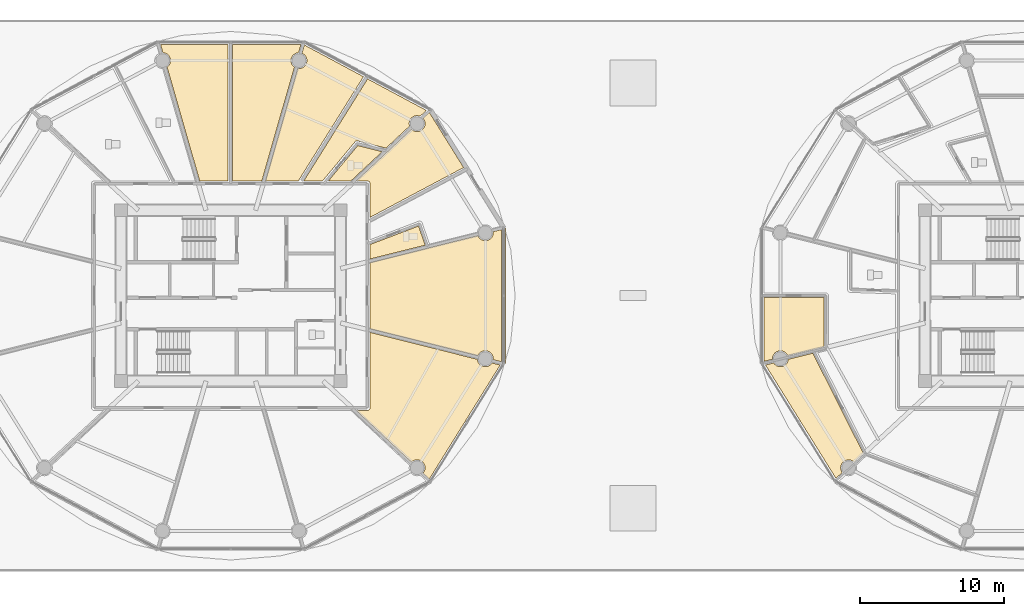
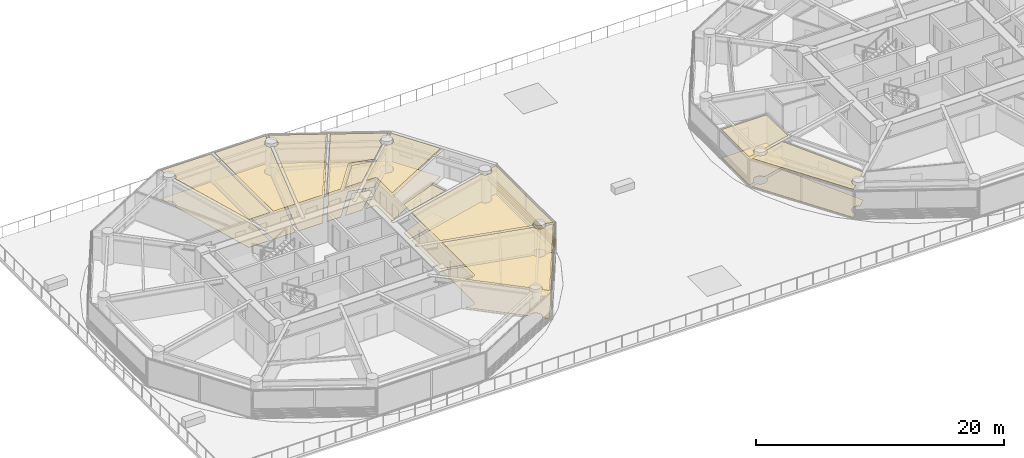
# One storey, part 24 of 32: 22 coverings, 1 shading device.
"""IFC4 building model written with IfcOpenShell, lengths in metres."""

from ifc_helpers import new_model, si_unit, direction, frame, origin, origin_2d, place, context, subcontext, project, spatial, polyline, rectangle, outline, extrude, source, transform, mapped, material, layer, layer_set, type_object, type_shapes, element, save


model = new_model("IFC4")

# Units and contexts
model_context = context("Model", 3, precision=1e-05, world=origin(), true_north=direction((0.0, 1.0)))
body_context = subcontext(model_context, "Body", "Model", "MODEL_VIEW")
ifc_project = project(units=[si_unit("LENGTHUNIT", "METRE"), si_unit("AREAUNIT", "SQUARE_METRE"), si_unit("VOLUMEUNIT", "CUBIC_METRE"), si_unit("PLANEANGLEUNIT", "RADIAN"), si_unit("MASSUNIT", "GRAM", prefix="KILO")], contexts=[model_context])

# Site, building, storey
site_placement = place(None, origin())
site = spatial("IfcSite", under=ifc_project, at=site_placement, CompositionType="ELEMENT")
building_placement = place(site_placement, origin())
building = spatial("IfcBuilding", under=site, at=building_placement, Name="Norrkilde Senior Care Towers", CompositionType="ELEMENT")
storey_placement = place(building_placement, frame((0.0, 0.0, 21.60009765625)))
storey = spatial("IfcBuildingStorey", under=building, at=storey_placement, Name="L05", CompositionType="ELEMENT", Elevation=21.60009765625)

# Coverings
ifc_material_1 = material(Name="Nordic Ash Timber", Category="wood")
ifc_layer_1 = layer(ifc_material_1, 0.044921875)
ifc_layer_set_1 = layer_set([ifc_layer_1], Name="Nordic Ash Timber")
covering_type_1 = type_object("IfcCoveringType", Name="Acoustic Ash Timber Slatted Ceiling 45", PredefinedType="CEILING", material=ifc_layer_set_1)
covering_1_placement = place(storey_placement, frame((0.0, 0.0, 2.744873046875)))
element("IfcCovering", 1, at=covering_1_placement, inside=storey, type_object=covering_type_1, Name="L05 Suspended Ceiling 0122", PredefinedType="CEILING", context=body_context, shape_type="SweptSolid", body=[
    extrude(outline(polyline([(-19.15771484375, 10.780517578125), (-19.164794921875, 10.781982421875), (-19.1767578125, 10.78369140625), (-19.18408203125, 10.784423828125), (-19.1962890625, 10.784912109375), (-19.203369140625, 10.784912109375), (-19.2158203125, 10.7841796875), (-19.222900390625, 10.783447265625), (-19.235107421875, 10.781494140625), (-19.241943359375, 10.780029296875), (-19.25390625, 10.77685546875), (-19.2607421875, 10.774658203125), (-19.272216796875, 10.770263671875), (-19.27880859375, 10.767333984375), (-19.289794921875, 10.76171875), (-19.296142578125, 10.75830078125), (-19.306396484375, 10.75146484375), (-19.312255859375, 10.747314453125), (-19.32177734375, 10.73974609375), (-19.3271484375, 10.73486328125), (-19.3359375, 10.726318359375), (-19.3408203125, 10.720947265625), (-19.344970703125, 10.716552734375), (-21.600341796875, 8.00146484375), (-21.60107421875, 8.000244140625), (-22.912109375, 8.0), (-18.47412109375, 15.10009765625), (-14.37890625, 12.904296875), (-14.816650390625, 12.494873046875), (-14.880859375, 12.521484375), (-15.024658203125, 12.54052734375), (-15.168212890625, 12.521484375), (-15.302001953125, 12.466064453125), (-15.4169921875, 12.3779296875), (-15.505126953125, 12.262939453125), (-15.560791015625, 12.129150390625), (-15.57958984375, 11.9853515625), (-15.560791015625, 11.841796875), (-15.5478515625, 11.810791015625), (-17.188232421875, 10.276611328125), (-19.151611328125, 10.779052734375), (-19.15771484375, 10.780517578125)])), origin(), (0.0, 0.0, 1.0), 0.044921875),
])
covering_2_placement = place(storey_placement, frame((0.0, 0.0, 2.744873046875)))
element("IfcCovering", 2, at=covering_2_placement, inside=storey, type_object=covering_type_1, Name="L05 Suspended Ceiling 0124", PredefinedType="CEILING", context=body_context, shape_type="SweptSolid", body=[
    extrude(outline(polyline([(-23.213134765625, 8.12255859375), (-23.288818359375, 8.0), (-25.583251953125, 8.0), (-23.34033203125, 15.829345703125), (-23.250732421875, 15.8173828125), (-23.10693359375, 15.83642578125), (-22.97314453125, 15.891845703125), (-22.858154296875, 15.97998046875), (-22.77001953125, 16.094970703125), (-22.714599609375, 16.228759765625), (-22.695556640625, 16.37255859375), (-22.714599609375, 16.51611328125), (-22.77001953125, 16.64990234375), (-22.858154296875, 16.764892578125), (-22.97314453125, 16.85302734375), (-23.039306640625, 16.88037109375), (-22.87353515625, 17.458984375), (-18.7568359375, 15.251708984375), (-23.212646484375, 8.123291015625), (-23.212646484375, 8.123046875), (-23.212890625, 8.12255859375), (-23.213134765625, 8.12255859375)])), origin(), (0.0, 0.0, 1.0), 0.044921875),
])
covering_3_placement = place(storey_placement, frame((0.0, 0.0, 2.744873046875)))
element("IfcCovering", 3, at=covering_3_placement, inside=storey, type_object=covering_type_1, Name="L05 Suspended Ceiling 0135", PredefinedType="CEILING", context=body_context, shape_type="SweptSolid", body=[
    extrude(outline(polyline([(-18.447509765625, -7.992919921875), (-18.436279296875, -7.989501953125), (-18.428955078125, -7.98681640625), (-18.41796875, -7.982421875), (-18.410888671875, -7.97900390625), (-18.400634765625, -7.973388671875), (-18.393798828125, -7.969482421875), (-18.384033203125, -7.962890625), (-18.377685546875, -7.958251953125), (-18.36865234375, -7.95068359375), (-18.36279296875, -7.945556640625), (-18.3544921875, -7.937255859375), (-18.34912109375, -7.931396484375), (-18.341796875, -7.92236328125), (-18.337158203125, -7.916015625), (-18.33056640625, -7.90625), (-18.326416015625, -7.8994140625), (-18.321044921875, -7.888916015625), (-18.317626953125, -7.8818359375), (-18.31298828125, -7.87109375), (-18.310546875, -7.86376953125), (-18.30712890625, -7.852294921875), (-18.30517578125, -7.8447265625), (-18.302734375, -7.833251953125), (-18.3017578125, -7.825439453125), (-18.300537109375, -7.813720703125), (-18.300048828125, -7.805908203125), (-18.300048828125, -7.800048828125), (-18.300048828125, -2.5546875), (-10.824951171875, -4.427978515625), (-10.811279296875, -4.530517578125), (-10.755859375, -4.66455078125), (-10.667724609375, -4.779541015625), (-10.552734375, -4.86767578125), (-10.4189453125, -4.923095703125), (-10.275146484375, -4.94189453125), (-10.131591796875, -4.923095703125), (-9.997802734375, -4.86767578125), (-9.8828125, -4.779541015625), (-9.80859375, -4.6826171875), (-9.236083984375, -4.826171875), (-14.173095703125, -12.76806640625), (-14.61474609375, -12.35498046875), (-14.5439453125, -12.262939453125), (-14.488525390625, -12.129150390625), (-14.469482421875, -11.9853515625), (-14.488525390625, -11.841796875), (-14.5439453125, -11.7080078125), (-14.632080078125, -11.593017578125), (-14.7470703125, -11.5048828125), (-14.880859375, -11.449462890625), (-15.024658203125, -11.430419921875), (-15.168212890625, -11.449462890625), (-15.302001953125, -11.5048828125), (-15.4169921875, -11.593017578125), (-15.422119140625, -11.599853515625), (-19.27099609375, -8.0), (-18.5, -8.0), (-18.494140625, -7.999755859375), (-18.486328125, -7.99951171875), (-18.474609375, -7.998291015625), (-18.466796875, -7.9970703125), (-18.455322265625, -7.994873046875), (-18.447509765625, -7.992919921875)])), origin(), (0.0, 0.0, 1.0), 0.044921875),
])
covering_4_placement = place(storey_placement, frame((0.0, 0.0, 2.744873046875)))
element("IfcCovering", 4, at=covering_4_placement, inside=storey, type_object=covering_type_1, Name="L05 Suspended Ceiling 0136", PredefinedType="CEILING", context=body_context, shape_type="SweptSolid", body=[
    extrude(outline(polyline([(-10.755859375, 4.109375), (-10.667724609375, 3.99462890625), (-10.552734375, 3.90625), (-10.4189453125, 3.850830078125), (-10.275146484375, 3.83203125), (-10.131591796875, 3.850830078125), (-9.997802734375, 3.90625), (-9.8828125, 3.99462890625), (-9.794677734375, 4.109375), (-9.7392578125, 4.243408203125), (-9.72021484375, 4.386962890625), (-9.729248046875, 4.455322265625), (-9.149169921875, 4.6005859375), (-9.149169921875, -4.6005859375), (-9.729248046875, -4.455322265625), (-9.72021484375, -4.386962890625), (-9.7392578125, -4.243408203125), (-9.794677734375, -4.109375), (-9.8828125, -3.99462890625), (-9.997802734375, -3.90625), (-10.131591796875, -3.850830078125), (-10.275146484375, -3.83203125), (-10.4189453125, -3.850830078125), (-10.552734375, -3.90625), (-10.667724609375, -3.99462890625), (-10.755859375, -4.109375), (-10.7890625, -4.189697265625), (-18.300048828125, -2.30712890625), (-18.300048828125, 2.30712890625), (-10.7890625, 4.189697265625), (-10.755859375, 4.109375)])), origin(), (0.0, 0.0, 1.0), 0.044921875),
])
covering_5_placement = place(storey_placement, frame((0.0, 0.0, 2.744873046875)))
element("IfcCovering", 5, at=covering_5_placement, inside=storey, type_object=covering_type_1, Name="L05 Suspended Ceiling 0139", PredefinedType="CEILING", context=body_context, shape_type="SweptSolid", body=[
    extrude(outline(polyline([(-18.30517578125, 7.8447265625), (-18.30712890625, 7.852294921875), (-18.310546875, 7.86376953125), (-18.31298828125, 7.87109375), (-18.317626953125, 7.8818359375), (-18.321044921875, 7.888916015625), (-18.326416015625, 7.8994140625), (-18.33056640625, 7.90625), (-18.337158203125, 7.916015625), (-18.341796875, 7.92236328125), (-18.34912109375, 7.931396484375), (-18.3544921875, 7.937255859375), (-18.36279296875, 7.945556640625), (-18.36865234375, 7.95068359375), (-18.377685546875, 7.958251953125), (-18.384033203125, 7.962890625), (-18.393798828125, 7.969482421875), (-18.400634765625, 7.973388671875), (-18.410888671875, 7.97900390625), (-18.41796875, 7.982421875), (-18.428955078125, 7.98681640625), (-18.436279296875, 7.989501953125), (-18.447509765625, 7.992919921875), (-18.455322265625, 7.994873046875), (-18.466796875, 7.9970703125), (-18.474609375, 7.998291015625), (-18.486328125, 7.99951171875), (-18.494140625, 7.999755859375), (-18.5, 8.0), (-19.27099609375, 8.0), (-15.422119140625, 11.599853515625), (-15.4169921875, 11.593017578125), (-15.302001953125, 11.5048828125), (-15.168212890625, 11.449462890625), (-15.024658203125, 11.430419921875), (-14.880859375, 11.449462890625), (-14.7470703125, 11.5048828125), (-14.632080078125, 11.593017578125), (-14.5439453125, 11.7080078125), (-14.488525390625, 11.841796875), (-14.469482421875, 11.9853515625), (-14.488525390625, 12.129150390625), (-14.5439453125, 12.262939453125), (-14.61474609375, 12.35498046875), (-14.173095703125, 12.76806640625), (-11.783935546875, 8.924560546875), (-18.300048828125, 5.4560546875), (-18.300048828125, 7.800048828125), (-18.300048828125, 7.805908203125), (-18.300537109375, 7.813720703125), (-18.3017578125, 7.825439453125), (-18.302734375, 7.833251953125), (-18.30517578125, 7.8447265625)])), origin(), (0.0, 0.0, 1.0), 0.044921875),
])
covering_6_placement = place(storey_placement, frame((0.0, 0.0, 2.744873046875)))
element("IfcCovering", 6, at=covering_6_placement, inside=storey, type_object=covering_type_1, Name="L05 Suspended Ceiling 0150", PredefinedType="CEILING", context=body_context, shape_type="SweptSolid", body=[
    extrude(outline(polyline([(13.320068359375, -0.1201171875), (13.326416015625, -3.547119140625), (10.781005859375, -4.169921875), (10.755859375, -4.109375), (10.667724609375, -3.99462890625), (10.552734375, -3.90625), (10.4189453125, -3.850830078125), (10.275146484375, -3.83203125), (10.131591796875, -3.850830078125), (9.997802734375, -3.90625), (9.8828125, -3.99462890625), (9.794677734375, -4.109375), (9.7392578125, -4.243408203125), (9.72021484375, -4.386962890625), (9.7255859375, -4.42822265625), (9.149169921875, -4.5693359375), (9.149169921875, -0.1201171875), (13.320068359375, -0.1201171875)])), origin(), (0.0, 0.0, 1.0), 0.044921875),
])
covering_7_placement = place(storey_placement, frame((0.0, 0.0, 2.744873046875)))
element("IfcCovering", 7, at=covering_7_placement, inside=storey, type_object=covering_type_1, Name="L05 Suspended Ceiling 0151", PredefinedType="CEILING", context=body_context, shape_type="SweptSolid", body=[
    extrude(outline(polyline([(9.8828125, -4.779541015625), (9.997802734375, -4.86767578125), (10.131591796875, -4.923095703125), (10.275146484375, -4.94189453125), (10.4189453125, -4.923095703125), (10.552734375, -4.86767578125), (10.667724609375, -4.779541015625), (10.755859375, -4.66455078125), (10.811279296875, -4.530517578125), (10.824951171875, -4.427978515625), (12.534912109375, -3.99951171875), (16.056640625, -10.986083984375), (15.399169921875, -11.579345703125), (15.302001953125, -11.5048828125), (15.168212890625, -11.449462890625), (15.024658203125, -11.430419921875), (14.880859375, -11.449462890625), (14.7470703125, -11.5048828125), (14.632080078125, -11.593017578125), (14.5439453125, -11.7080078125), (14.488525390625, -11.841796875), (14.469482421875, -11.9853515625), (14.488525390625, -12.129150390625), (14.5439453125, -12.262939453125), (14.583740234375, -12.31494140625), (14.14013671875, -12.715087890625), (9.236083984375, -4.826171875), (9.80859375, -4.6826171875), (9.8828125, -4.779541015625)])), origin(), (0.0, 0.0, 1.0), 0.044921875),
])
ifc_material_2 = material(Name="Gypsum Acoustic Board")
ifc_layer_2 = layer(ifc_material_2, 0.030029296875)
ifc_layer_set_2 = layer_set([ifc_layer_2], Name="Gypsum Acoustic Board")
covering_type_2 = type_object("IfcCoveringType", Name="Medical Cleanable Gypsum Ceiling 30", PredefinedType="CEILING", material=ifc_layer_set_2)
covering_8_placement = place(storey_placement, frame((0.0, 0.0, 2.760009765625)))
element("IfcCovering", 8, at=covering_8_placement, inside=storey, type_object=covering_type_2, Name="L05 Suspended Ceiling 0123", PredefinedType="CEILING", context=body_context, shape_type="SweptSolid", body=[
    extrude(outline(polyline([(-17.456787109375, 10.025390625), (-19.622314453125, 8.0), (-21.198486328125, 8.0), (-19.155029296875, 10.4599609375), (-17.456787109375, 10.025390625)])), origin(), (0.0, 0.0, 1.0), 0.02978515625),
])
covering_9_placement = place(storey_placement, frame((0.0, 0.0, 2.760009765625)))
element("IfcCovering", 9, at=covering_9_placement, inside=storey, type_object=covering_type_2, Name="L05 Suspended Ceiling 0125", PredefinedType="CEILING", context=body_context, shape_type="SweptSolid", body=[
    extrude(outline(polyline([(-23.2763671875, 16.924072265625), (-23.394287109375, 16.908447265625), (-23.528076171875, 16.85302734375), (-23.64306640625, 16.764892578125), (-23.731201171875, 16.64990234375), (-23.786865234375, 16.51611328125), (-23.8056640625, 16.37255859375), (-23.786865234375, 16.228759765625), (-23.731201171875, 16.094970703125), (-23.64306640625, 15.97998046875), (-23.564208984375, 15.91943359375), (-25.8330078125, 8.0), (-27.8798828125, 8.0), (-27.8798828125, 17.49853515625), (-23.11181640625, 17.49853515625), (-23.2763671875, 16.924072265625)])), origin(), (0.0, 0.0, 1.0), 0.02978515625),
])
covering_10_placement = place(storey_placement, frame((0.0, 0.0, 2.760009765625)))
element("IfcCovering", 10, at=covering_10_placement, inside=storey, type_object=covering_type_2, Name="L05 Suspended Ceiling 0126", PredefinedType="CEILING", context=body_context, shape_type="SweptSolid", body=[
    extrude(outline(polyline([(-28.199951171875, 17.49853515625), (-28.199951171875, 8.0), (-30.1669921875, 8.0), (-32.435791015625, 15.91943359375), (-32.35693359375, 15.97998046875), (-32.268798828125, 16.094970703125), (-32.213134765625, 16.228759765625), (-32.1943359375, 16.37255859375), (-32.213134765625, 16.51611328125), (-32.268798828125, 16.64990234375), (-32.35693359375, 16.764892578125), (-32.471923828125, 16.85302734375), (-32.605712890625, 16.908447265625), (-32.7236328125, 16.924072265625), (-32.88818359375, 17.49853515625), (-28.199951171875, 17.49853515625)])), origin(), (0.0, 0.0, 1.0), 0.02978515625),
])
covering_11_placement = place(storey_placement, frame((0.0, 0.0, 2.760009765625)))
element("IfcCovering", 11, at=covering_11_placement, inside=storey, type_object=covering_type_2, Name="L05 Suspended Ceiling 0138", PredefinedType="CEILING", context=body_context, shape_type="SweptSolid", body=[
    extrude(outline(polyline([(-14.458740234375, 3.517333984375), (-18.300048828125, 2.5546875), (-18.300048828125, 3.56787109375), (-14.922607421875, 4.85498046875), (-14.458740234375, 3.517333984375)])), origin(), (0.0, 0.0, 1.0), 0.02978515625),
])
ifc_material_3 = material(Name="Slip-Resistant Porcelain Stone", Category="masonry")
ifc_layer_3 = layer(ifc_material_3, 0.02490234375)
ifc_layer_set_3 = layer_set([ifc_layer_3], Name="Slip-Resistant Porcelain Stone")
covering_type_3 = type_object("IfcCoveringType", Name="Slip-Resistant Porcelain Flooring 25", PredefinedType="FLOORING", material=ifc_layer_set_3)
covering_12_placement = place(storey_placement, origin())
element("IfcCovering", 12, at=covering_12_placement, inside=storey, type_object=covering_type_3, Name="L05 Floor Finish 0122", PredefinedType="FLOORING", context=body_context, shape_type="SweptSolid", body=[
    extrude(outline(polyline([(-19.15771484375, 10.780517578125), (-19.164794921875, 10.781982421875), (-19.1767578125, 10.78369140625), (-19.18408203125, 10.784423828125), (-19.1962890625, 10.784912109375), (-19.203369140625, 10.784912109375), (-19.2158203125, 10.7841796875), (-19.222900390625, 10.783447265625), (-19.235107421875, 10.781494140625), (-19.241943359375, 10.780029296875), (-19.25390625, 10.77685546875), (-19.2607421875, 10.774658203125), (-19.272216796875, 10.770263671875), (-19.27880859375, 10.767333984375), (-19.289794921875, 10.76171875), (-19.296142578125, 10.75830078125), (-19.306396484375, 10.75146484375), (-19.312255859375, 10.747314453125), (-19.32177734375, 10.73974609375), (-19.3271484375, 10.73486328125), (-19.3359375, 10.726318359375), (-19.3408203125, 10.720947265625), (-19.344970703125, 10.716552734375), (-21.600341796875, 8.00146484375), (-21.60107421875, 8.000244140625), (-22.912109375, 8.0), (-18.47412109375, 15.10009765625), (-14.37890625, 12.904296875), (-14.816650390625, 12.494873046875), (-14.880859375, 12.521484375), (-15.024658203125, 12.54052734375), (-15.168212890625, 12.521484375), (-15.302001953125, 12.466064453125), (-15.4169921875, 12.3779296875), (-15.505126953125, 12.262939453125), (-15.560791015625, 12.129150390625), (-15.57958984375, 11.9853515625), (-15.560791015625, 11.841796875), (-15.5478515625, 11.810791015625), (-17.188232421875, 10.276611328125), (-19.151611328125, 10.779052734375), (-19.15771484375, 10.780517578125)])), origin(), (0.0, 0.0, 1.0), 0.02490234375),
])
covering_13_placement = place(storey_placement, origin())
element("IfcCovering", 13, at=covering_13_placement, inside=storey, type_object=covering_type_3, Name="L05 Floor Finish 0123", PredefinedType="FLOORING", context=body_context, shape_type="SweptSolid", body=[
    extrude(outline(polyline([(-17.456787109375, 10.025390625), (-19.622314453125, 8.0), (-21.198486328125, 8.0), (-19.155029296875, 10.4599609375), (-17.456787109375, 10.025390625)])), origin(), (0.0, 0.0, 1.0), 0.02490234375),
])
covering_14_placement = place(storey_placement, origin())
element("IfcCovering", 14, at=covering_14_placement, inside=storey, type_object=covering_type_3, Name="L05 Floor Finish 0124", PredefinedType="FLOORING", context=body_context, shape_type="SweptSolid", body=[
    extrude(outline(polyline([(-23.213134765625, 8.12255859375), (-23.288818359375, 8.0), (-25.583251953125, 8.0), (-23.34033203125, 15.829345703125), (-23.250732421875, 15.8173828125), (-23.10693359375, 15.83642578125), (-22.97314453125, 15.891845703125), (-22.858154296875, 15.97998046875), (-22.77001953125, 16.094970703125), (-22.714599609375, 16.228759765625), (-22.695556640625, 16.37255859375), (-22.714599609375, 16.51611328125), (-22.77001953125, 16.64990234375), (-22.858154296875, 16.764892578125), (-22.97314453125, 16.85302734375), (-23.039306640625, 16.88037109375), (-22.87353515625, 17.458984375), (-18.7568359375, 15.251708984375), (-23.212646484375, 8.123291015625), (-23.212646484375, 8.123046875), (-23.212890625, 8.12255859375), (-23.213134765625, 8.12255859375)])), origin(), (0.0, 0.0, 1.0), 0.02490234375),
])
covering_15_placement = place(storey_placement, origin())
element("IfcCovering", 15, at=covering_15_placement, inside=storey, type_object=covering_type_3, Name="L05 Floor Finish 0125", PredefinedType="FLOORING", context=body_context, shape_type="SweptSolid", body=[
    extrude(outline(polyline([(-23.2763671875, 16.924072265625), (-23.394287109375, 16.908447265625), (-23.528076171875, 16.85302734375), (-23.64306640625, 16.764892578125), (-23.731201171875, 16.64990234375), (-23.786865234375, 16.51611328125), (-23.8056640625, 16.37255859375), (-23.786865234375, 16.228759765625), (-23.731201171875, 16.094970703125), (-23.64306640625, 15.97998046875), (-23.564208984375, 15.91943359375), (-25.8330078125, 8.0), (-27.8798828125, 8.0), (-27.8798828125, 17.49853515625), (-23.11181640625, 17.49853515625), (-23.2763671875, 16.924072265625)])), origin(), (0.0, 0.0, 1.0), 0.02490234375),
])
covering_16_placement = place(storey_placement, origin())
element("IfcCovering", 16, at=covering_16_placement, inside=storey, type_object=covering_type_3, Name="L05 Floor Finish 0126", PredefinedType="FLOORING", context=body_context, shape_type="SweptSolid", body=[
    extrude(outline(polyline([(-28.199951171875, 17.49853515625), (-28.199951171875, 8.0), (-30.1669921875, 8.0), (-32.435791015625, 15.91943359375), (-32.35693359375, 15.97998046875), (-32.268798828125, 16.094970703125), (-32.213134765625, 16.228759765625), (-32.1943359375, 16.37255859375), (-32.213134765625, 16.51611328125), (-32.268798828125, 16.64990234375), (-32.35693359375, 16.764892578125), (-32.471923828125, 16.85302734375), (-32.605712890625, 16.908447265625), (-32.7236328125, 16.924072265625), (-32.88818359375, 17.49853515625), (-28.199951171875, 17.49853515625)])), origin(), (0.0, 0.0, 1.0), 0.02490234375),
])
covering_17_placement = place(storey_placement, origin())
element("IfcCovering", 17, at=covering_17_placement, inside=storey, type_object=covering_type_3, Name="L05 Floor Finish 0135", PredefinedType="FLOORING", context=body_context, shape_type="SweptSolid", body=[
    extrude(outline(polyline([(-18.447509765625, -7.992919921875), (-18.436279296875, -7.989501953125), (-18.428955078125, -7.98681640625), (-18.41796875, -7.982421875), (-18.410888671875, -7.97900390625), (-18.400634765625, -7.973388671875), (-18.393798828125, -7.969482421875), (-18.384033203125, -7.962890625), (-18.377685546875, -7.958251953125), (-18.36865234375, -7.95068359375), (-18.36279296875, -7.945556640625), (-18.3544921875, -7.937255859375), (-18.34912109375, -7.931396484375), (-18.341796875, -7.92236328125), (-18.337158203125, -7.916015625), (-18.33056640625, -7.90625), (-18.326416015625, -7.8994140625), (-18.321044921875, -7.888916015625), (-18.317626953125, -7.8818359375), (-18.31298828125, -7.87109375), (-18.310546875, -7.86376953125), (-18.30712890625, -7.852294921875), (-18.30517578125, -7.8447265625), (-18.302734375, -7.833251953125), (-18.3017578125, -7.825439453125), (-18.300537109375, -7.813720703125), (-18.300048828125, -7.805908203125), (-18.300048828125, -7.800048828125), (-18.300048828125, -2.5546875), (-10.824951171875, -4.427978515625), (-10.811279296875, -4.530517578125), (-10.755859375, -4.66455078125), (-10.667724609375, -4.779541015625), (-10.552734375, -4.86767578125), (-10.4189453125, -4.923095703125), (-10.275146484375, -4.94189453125), (-10.131591796875, -4.923095703125), (-9.997802734375, -4.86767578125), (-9.8828125, -4.779541015625), (-9.80859375, -4.6826171875), (-9.236083984375, -4.826171875), (-14.173095703125, -12.76806640625), (-14.61474609375, -12.35498046875), (-14.5439453125, -12.262939453125), (-14.488525390625, -12.129150390625), (-14.469482421875, -11.9853515625), (-14.488525390625, -11.841796875), (-14.5439453125, -11.7080078125), (-14.632080078125, -11.593017578125), (-14.7470703125, -11.5048828125), (-14.880859375, -11.449462890625), (-15.024658203125, -11.430419921875), (-15.168212890625, -11.449462890625), (-15.302001953125, -11.5048828125), (-15.4169921875, -11.593017578125), (-15.422119140625, -11.599853515625), (-19.27099609375, -8.0), (-18.5, -8.0), (-18.494140625, -7.999755859375), (-18.486328125, -7.99951171875), (-18.474609375, -7.998291015625), (-18.466796875, -7.9970703125), (-18.455322265625, -7.994873046875), (-18.447509765625, -7.992919921875)])), origin(), (0.0, 0.0, 1.0), 0.02490234375),
])
covering_18_placement = place(storey_placement, origin())
element("IfcCovering", 18, at=covering_18_placement, inside=storey, type_object=covering_type_3, Name="L05 Floor Finish 0136", PredefinedType="FLOORING", context=body_context, shape_type="SweptSolid", body=[
    extrude(outline(polyline([(-10.755859375, 4.109375), (-10.667724609375, 3.99462890625), (-10.552734375, 3.90625), (-10.4189453125, 3.850830078125), (-10.275146484375, 3.83203125), (-10.131591796875, 3.850830078125), (-9.997802734375, 3.90625), (-9.8828125, 3.99462890625), (-9.794677734375, 4.109375), (-9.7392578125, 4.243408203125), (-9.72021484375, 4.386962890625), (-9.729248046875, 4.455322265625), (-9.149169921875, 4.6005859375), (-9.149169921875, -4.6005859375), (-9.729248046875, -4.455322265625), (-9.72021484375, -4.386962890625), (-9.7392578125, -4.243408203125), (-9.794677734375, -4.109375), (-9.8828125, -3.99462890625), (-9.997802734375, -3.90625), (-10.131591796875, -3.850830078125), (-10.275146484375, -3.83203125), (-10.4189453125, -3.850830078125), (-10.552734375, -3.90625), (-10.667724609375, -3.99462890625), (-10.755859375, -4.109375), (-10.7890625, -4.189697265625), (-18.300048828125, -2.30712890625), (-18.300048828125, 2.30712890625), (-10.7890625, 4.189697265625), (-10.755859375, 4.109375)])), origin(), (0.0, 0.0, 1.0), 0.02490234375),
])
covering_19_placement = place(storey_placement, origin())
element("IfcCovering", 19, at=covering_19_placement, inside=storey, type_object=covering_type_3, Name="L05 Floor Finish 0138", PredefinedType="FLOORING", context=body_context, shape_type="SweptSolid", body=[
    extrude(outline(polyline([(-14.458740234375, 3.517333984375), (-18.300048828125, 2.5546875), (-18.300048828125, 3.56787109375), (-14.922607421875, 4.85498046875), (-14.458740234375, 3.517333984375)])), origin(), (0.0, 0.0, 1.0), 0.02490234375),
])
covering_20_placement = place(storey_placement, origin())
element("IfcCovering", 20, at=covering_20_placement, inside=storey, type_object=covering_type_3, Name="L05 Floor Finish 0139", PredefinedType="FLOORING", context=body_context, shape_type="SweptSolid", body=[
    extrude(outline(polyline([(-18.30517578125, 7.8447265625), (-18.30712890625, 7.852294921875), (-18.310546875, 7.86376953125), (-18.31298828125, 7.87109375), (-18.317626953125, 7.8818359375), (-18.321044921875, 7.888916015625), (-18.326416015625, 7.8994140625), (-18.33056640625, 7.90625), (-18.337158203125, 7.916015625), (-18.341796875, 7.92236328125), (-18.34912109375, 7.931396484375), (-18.3544921875, 7.937255859375), (-18.36279296875, 7.945556640625), (-18.36865234375, 7.95068359375), (-18.377685546875, 7.958251953125), (-18.384033203125, 7.962890625), (-18.393798828125, 7.969482421875), (-18.400634765625, 7.973388671875), (-18.410888671875, 7.97900390625), (-18.41796875, 7.982421875), (-18.428955078125, 7.98681640625), (-18.436279296875, 7.989501953125), (-18.447509765625, 7.992919921875), (-18.455322265625, 7.994873046875), (-18.466796875, 7.9970703125), (-18.474609375, 7.998291015625), (-18.486328125, 7.99951171875), (-18.494140625, 7.999755859375), (-18.5, 8.0), (-19.27099609375, 8.0), (-15.422119140625, 11.599853515625), (-15.4169921875, 11.593017578125), (-15.302001953125, 11.5048828125), (-15.168212890625, 11.449462890625), (-15.024658203125, 11.430419921875), (-14.880859375, 11.449462890625), (-14.7470703125, 11.5048828125), (-14.632080078125, 11.593017578125), (-14.5439453125, 11.7080078125), (-14.488525390625, 11.841796875), (-14.469482421875, 11.9853515625), (-14.488525390625, 12.129150390625), (-14.5439453125, 12.262939453125), (-14.61474609375, 12.35498046875), (-14.173095703125, 12.76806640625), (-11.783935546875, 8.924560546875), (-18.300048828125, 5.4560546875), (-18.300048828125, 7.800048828125), (-18.300048828125, 7.805908203125), (-18.300537109375, 7.813720703125), (-18.3017578125, 7.825439453125), (-18.302734375, 7.833251953125), (-18.30517578125, 7.8447265625)])), origin(), (0.0, 0.0, 1.0), 0.02490234375),
])
covering_21_placement = place(storey_placement, origin())
element("IfcCovering", 21, at=covering_21_placement, inside=storey, type_object=covering_type_3, Name="L05 Floor Finish 0150", PredefinedType="FLOORING", context=body_context, shape_type="SweptSolid", body=[
    extrude(outline(polyline([(13.320068359375, -0.1201171875), (13.326416015625, -3.547119140625), (10.781005859375, -4.169921875), (10.755859375, -4.109375), (10.667724609375, -3.99462890625), (10.552734375, -3.90625), (10.4189453125, -3.850830078125), (10.275146484375, -3.83203125), (10.131591796875, -3.850830078125), (9.997802734375, -3.90625), (9.8828125, -3.99462890625), (9.794677734375, -4.109375), (9.7392578125, -4.243408203125), (9.72021484375, -4.386962890625), (9.7255859375, -4.42822265625), (9.149169921875, -4.5693359375), (9.149169921875, -0.1201171875), (13.320068359375, -0.1201171875)])), origin(), (0.0, 0.0, 1.0), 0.02490234375),
])
covering_22_placement = place(storey_placement, origin())
element("IfcCovering", 22, at=covering_22_placement, inside=storey, type_object=covering_type_3, Name="L05 Floor Finish 0151", PredefinedType="FLOORING", context=body_context, shape_type="SweptSolid", body=[
    extrude(outline(polyline([(9.8828125, -4.779541015625), (9.997802734375, -4.86767578125), (10.131591796875, -4.923095703125), (10.275146484375, -4.94189453125), (10.4189453125, -4.923095703125), (10.552734375, -4.86767578125), (10.667724609375, -4.779541015625), (10.755859375, -4.66455078125), (10.811279296875, -4.530517578125), (10.824951171875, -4.427978515625), (12.534912109375, -3.99951171875), (16.056640625, -10.986083984375), (15.399169921875, -11.579345703125), (15.302001953125, -11.5048828125), (15.168212890625, -11.449462890625), (15.024658203125, -11.430419921875), (14.880859375, -11.449462890625), (14.7470703125, -11.5048828125), (14.632080078125, -11.593017578125), (14.5439453125, -11.7080078125), (14.488525390625, -11.841796875), (14.469482421875, -11.9853515625), (14.488525390625, -12.129150390625), (14.5439453125, -12.262939453125), (14.583740234375, -12.31494140625), (14.14013671875, -12.715087890625), (9.236083984375, -4.826171875), (9.80859375, -4.6826171875), (9.8828125, -4.779541015625)])), origin(), (0.0, 0.0, 1.0), 0.02490234375),
])

# Shading device
ifc_material_4 = material(Name="Architectural Terracotta", Category="masonry")
shading_device_type = type_object("IfcShadingDeviceType", Name="Horizontal Terracotta Baguette Rack", PredefinedType="USERDEFINED", material=ifc_material_4)
shared_shape = source(origin(), body_context, "Body", "SweptSolid", [
    extrude(rectangle(XDim=0.070068359375, YDim=0.110107421875, at=origin_2d()), frame((0.0, 0.090087890625, 0.125), z_axis=(1.0, 0.0, 0.0), x_axis=(0.0, 1.0, 0.0)), (0.0, 0.0, 1.0), 9.46240234375),
    extrude(rectangle(XDim=0.070068359375, YDim=0.110107421875, at=origin_2d()), frame((0.0, 0.090087890625, 0.375), z_axis=(1.0, 0.0, 0.0), x_axis=(0.0, 1.0, 0.0)), (0.0, 0.0, 1.0), 9.46240234375),
    extrude(rectangle(XDim=0.070068359375, YDim=0.110107421875, at=origin_2d()), frame((0.0, 0.090087890625, 0.625), z_axis=(1.0, 0.0, 0.0), x_axis=(0.0, 1.0, 0.0)), (0.0, 0.0, 1.0), 9.46240234375),
    extrude(rectangle(XDim=0.070068359375, YDim=0.110107421875, at=origin_2d()), frame((0.0, 0.090087890625, 0.875), z_axis=(1.0, 0.0, 0.0), x_axis=(0.0, 1.0, 0.0)), (0.0, 0.0, 1.0), 9.46240234375),
    extrude(rectangle(XDim=0.050048828125, YDim=0.1552734375, at=origin_2d()), frame((0.02490234375, 0.047607421875, 0.0)), (0.0, 0.0, 1.0), 1.0),
    extrude(rectangle(XDim=0.050048828125, YDim=0.1552734375, at=origin_2d()), frame((9.4375, 0.047607421875, 0.0)), (0.0, 0.0, 1.0), 1.0),
])
type_shapes(shading_device_type, [shared_shape])
shading_device_placement = place(storey_placement, frame((-8.990478515625, 4.731201171875, 0.079833984375), z_axis=(0.0, 0.0, 1.0), x_axis=(0.0, -1.0, 0.0)))
element("IfcShadingDevice", 23, at=shading_device_placement, inside=storey, type_object=shading_device_type, Name="L05 Drum W Terracotta Baguette Screen 11", ObjectType="BAGUETTE", PredefinedType="USERDEFINED", context=body_context, shape_type="MappedRepresentation", body=[
    mapped(shared_shape, transform((0.0, 0.0, 0.0), x_axis=(1.0, 0.0, 0.0), y_axis=(0.0, 1.0, 0.0), z_axis=(0.0, 0.0, 1.0), scale=1.0)),
])

save(model, "model.ifc")
